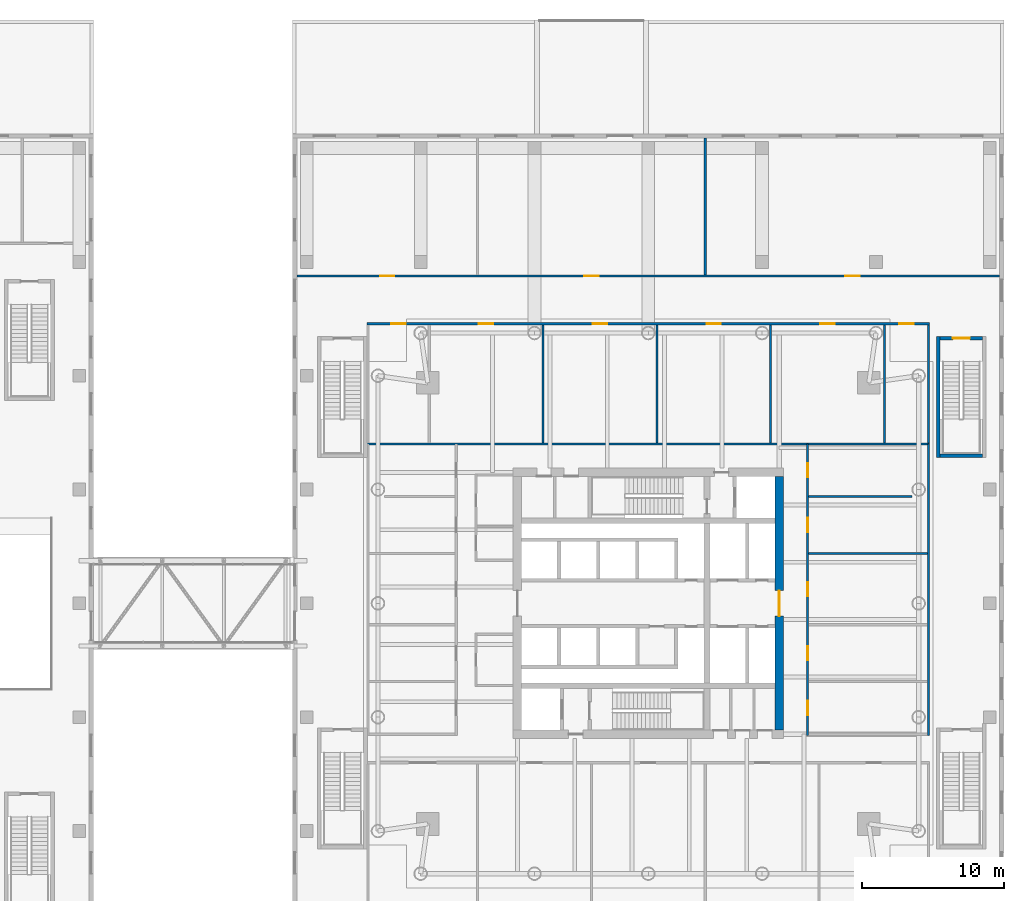
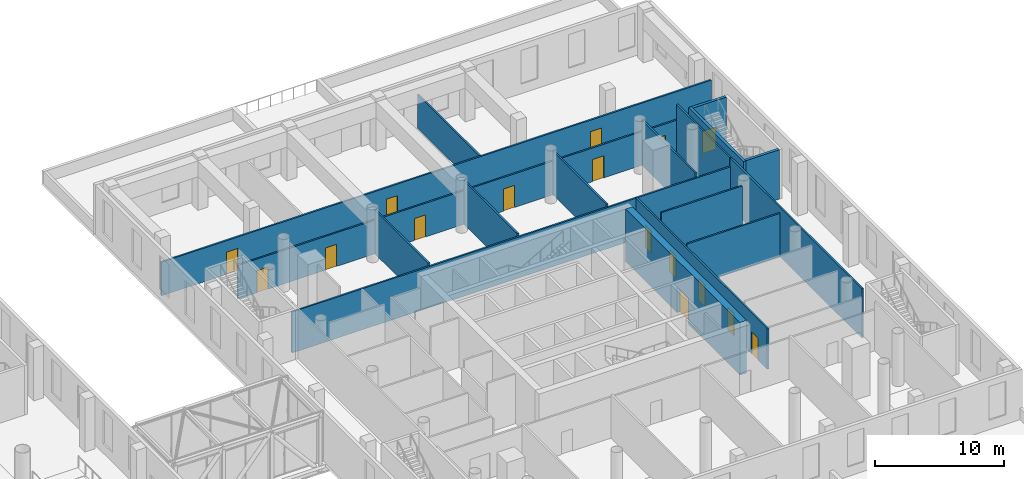
# One storey, part 17 of 23: 17 walls, 16 doors, 16 openings.
"""IFC4 building model written with IfcOpenShell, lengths in metres."""

from ifc_helpers import new_model, si_unit, direction, frame, frame_2d, origin, place, context, subcontext, project, spatial, rectangle, extrude, material, layer, layer_set, type_object, element, fill, save


model = new_model("IFC4")

# Units and contexts
model_context = context("Model", 3, precision=1e-05, world=origin(), true_north=direction((0.0, 1.0)))
body_context = subcontext(model_context, "Body", "Model", "MODEL_VIEW")
ifc_project = project(units=[si_unit("LENGTHUNIT", "METRE"), si_unit("AREAUNIT", "SQUARE_METRE"), si_unit("VOLUMEUNIT", "CUBIC_METRE"), si_unit("PLANEANGLEUNIT", "RADIAN"), si_unit("MASSUNIT", "GRAM", prefix="KILO")], contexts=[model_context])

# Site, building, storey
site_placement = place(None, origin())
site = spatial("IfcSite", under=ifc_project, at=site_placement, CompositionType="ELEMENT")
building_placement = place(site_placement, origin())
building = spatial("IfcBuilding", under=site, at=building_placement, Name="Ostroluk Exchange", CompositionType="ELEMENT")
storey_placement = place(building_placement, frame((0.0, 0.0, 11.0)))
storey = spatial("IfcBuildingStorey", under=building, at=storey_placement, Name="L02", CompositionType="ELEMENT", Elevation=11.0)

# Walls
ifc_material_1 = material(Name="Concrete blockwork", Category="masonry")
ifc_layer_1 = layer(ifc_material_1, 0.25)
ifc_layer_set_1 = layer_set([ifc_layer_1], Name="Blockwork stair enclosure wall 250")
wall_type_1 = type_object("IfcWallType", Name="Blockwork stair enclosure wall 250", PredefinedType="SOLIDWALL", material=ifc_layer_set_1)
wall_1_placement = place(storey_placement, frame((137.375, 56.25, 0.0), z_axis=(0.0, 0.0, 1.0), x_axis=(0.0, 1.0, 0.0)))
element("IfcWall", 1, at=wall_1_placement, inside=storey, type_object=wall_type_1, Name="Stair PS8 enclosure wall", PredefinedType="SOLIDWALL", context=body_context, shape_type="SweptSolid", body=[
    extrude(rectangle(XDim=8.5, YDim=0.25, at=frame_2d((4.25, 0.0))), origin(), (0.0, 0.0, 1.0), 4.699951171875),
])
wall_2_placement = place(storey_placement, frame((137.5, 56.375, 0.0), z_axis=(0.0, 0.0, 1.0), x_axis=(1.0, 0.0, 0.0)))
element("IfcWall", 2, at=wall_2_placement, inside=storey, type_object=wall_type_1, Name="Stair PS8 enclosure wall", PredefinedType="SOLIDWALL", context=body_context, shape_type="SweptSolid", body=[
    extrude(rectangle(XDim=3.0, YDim=0.25, at=frame_2d((1.5, 0.0))), origin(), (0.0, 0.0, 1.0), 4.699951171875),
])

# Wall, opening, door
wall_3_placement = place(storey_placement, frame((137.5, 64.625, 0.0), z_axis=(0.0, 0.0, 1.0), x_axis=(1.0, 0.0, 0.0)))
wall_3 = element("IfcWall", 3, at=wall_3_placement, inside=storey, type_object=wall_type_1, Name="Stair PS8 enclosure wall", PredefinedType="SOLIDWALL", context=body_context, shape_type="SweptSolid", body=[
    extrude(rectangle(XDim=3.0, YDim=0.25, at=frame_2d((1.5, 0.0))), origin(), (0.0, 0.0, 1.0), 4.699951171875),
])
opening_1_placement = place(wall_3_placement, frame((0.89990234375, 0.0, 0.0)))
opening_1 = element("IfcOpeningElement", 4, at=opening_1_placement, cuts=wall_3, Name="Opening FD60S", PredefinedType="OPENING", context=body_context, shape_type="SweptSolid", body=[
    extrude(rectangle(XDim=1.199951171875, YDim=2.10009765625, at=frame_2d((0.60009765625, 1.050048828125))), frame((0.0, 0.135009765625, 0.0), z_axis=(0.0, -1.0, 0.0), x_axis=(1.0, 0.0, 0.0)), (0.0, 0.0, 1.0), 0.27001953125),
])
ifc_material_2 = material(Name="Steel", Category="steel")
door_type_1 = type_object("IfcDoorType", Name="Stair door EI 60 1200 x 2100", OperationType="SINGLE_SWING_LEFT", PredefinedType="DOOR", material=ifc_material_2)
door_1_placement = place(opening_1_placement, origin())
door_1 = element("IfcDoor", 5, at=door_1_placement, inside=storey, type_object=door_type_1, Name="Stair PS8 door", OperationType="SINGLE_SWING_LEFT", OverallHeight=2.10009765625, OverallWidth=1.199951171875, PredefinedType="DOOR", context=body_context, shape_type="SweptSolid", body=[
    extrude(rectangle(XDim=1.199951171875, YDim=2.10009765625, at=frame_2d((0.60009765625, 1.050048828125))), frame((0.0, 0.02490234375, 0.0), z_axis=(0.0, -1.0, 0.0), x_axis=(1.0, 0.0, 0.0)), (0.0, 0.0, 1.0), 0.050048828125),
])
fill(opening_1, door_1)

ifc_material_3 = material(Name="Concrete C50/60", Category="concrete")
ifc_layer_2 = layer(ifc_material_3, 0.60009765625)
ifc_layer_set_2 = layer_set([ifc_layer_2], Name="Core wall 600 C50/60")
wall_type_2 = type_object("IfcWallType", Name="Core wall 600 C50/60", PredefinedType="SHEAR", material=ifc_layer_set_2)
wall_4_placement = place(storey_placement, frame((126.199951171875, 37.10009765625, 0.0), z_axis=(0.0, 0.0, 1.0), x_axis=(0.0, 1.0, 0.0)))
wall_4 = element("IfcWall", 6, at=wall_4_placement, inside=storey, type_object=wall_type_2, Name="T2 core wall E", PredefinedType="SHEAR", context=body_context, shape_type="SweptSolid", body=[
    extrude(rectangle(XDim=17.7998046875, YDim=0.60009765625, at=frame_2d((8.89990234375, 0.0))), origin(), (0.0, 0.0, 1.0), 5.0),
])
opening_2_placement = place(wall_4_placement, frame((8.0, 0.0, 0.0)))
opening_2 = element("IfcOpeningElement", 7, at=opening_2_placement, cuts=wall_4, Name="Opening FD30D", PredefinedType="OPENING", context=body_context, shape_type="SweptSolid", body=[
    extrude(rectangle(XDim=1.800048828125, YDim=2.39990234375, at=frame_2d((0.89990234375, 1.199951171875))), frame((0.0, 0.31005859375, 0.0), z_axis=(0.0, -1.0, 0.0), x_axis=(1.0, 0.0, 0.0)), (0.0, 0.0, 1.0), 0.6201171875),
])
ifc_material_4 = material(Name="Timber", Category="wood")
door_type_2 = type_object("IfcDoorType", Name="Lobby double door EI 30 1800 x 2400", OperationType="DOUBLE_DOOR_SINGLE_SWING", PredefinedType="DOOR", material=ifc_material_4)
door_2_placement = place(opening_2_placement, origin())
door_2 = element("IfcDoor", 8, at=door_2_placement, inside=storey, type_object=door_type_2, Name="Lift lobby doors", OperationType="DOUBLE_DOOR_SINGLE_SWING", OverallHeight=2.39990234375, OverallWidth=1.800048828125, PredefinedType="DOOR", context=body_context, shape_type="SweptSolid", body=[
    extrude(rectangle(XDim=1.800048828125, YDim=2.39990234375, at=frame_2d((0.89990234375, 1.199951171875))), frame((0.0, 0.02490234375, 0.0), z_axis=(0.0, -1.0, 0.0), x_axis=(1.0, 0.0, 0.0)), (0.0, 0.0, 1.0), 0.050048828125),
])
fill(opening_2, door_2)

# Wall, openings, doors
ifc_material_5 = material(Name="Gypsum plasterboard partition", Category="gypsum")
ifc_layer_3 = layer(ifc_material_5, 0.14990234375)
ifc_layer_set_3 = layer_set([ifc_layer_3], Name="Plasterboard partition 150")
wall_type_3 = type_object("IfcWallType", Name="Plasterboard partition 150", PredefinedType="PARTITIONING", material=ifc_layer_set_3)
wall_5_placement = place(storey_placement, frame((92.300048828125, 69.0, 0.0), z_axis=(0.0, 0.0, 1.0), x_axis=(1.0, 0.0, 0.0)))
wall_5 = element("IfcWall", 9, at=wall_5_placement, inside=storey, type_object=wall_type_3, Name="Partition", PredefinedType="PARTITIONING", context=body_context, shape_type="SweptSolid", body=[
    extrude(rectangle(XDim=49.39990234375, YDim=0.14990234375, at=frame_2d((24.699951171875, 0.0))), origin(), (0.0, 0.0, 1.0), 3.199951171875),
])
opening_3_placement = place(wall_5_placement, frame((5.85009765625, 0.0, 0.0)))
opening_3 = element("IfcOpeningElement", 10, at=opening_3_placement, cuts=wall_5, Name="Opening D-03", PredefinedType="OPENING", context=body_context, shape_type="SweptSolid", body=[
    extrude(rectangle(XDim=1.0, YDim=2.10009765625, at=frame_2d((0.5, 1.050048828125))), frame((0.0, 0.0849609375, 0.0), z_axis=(0.0, -1.0, 0.0), x_axis=(1.0, 0.0, 0.0)), (0.0, 0.0, 1.0), 0.169921875),
])
opening_4_placement = place(wall_5_placement, frame((20.199951171875, 0.0, 0.0)))
opening_4 = element("IfcOpeningElement", 11, at=opening_4_placement, cuts=wall_5, Name="Opening D-03", PredefinedType="OPENING", context=body_context, shape_type="SweptSolid", body=[
    extrude(rectangle(XDim=1.0, YDim=2.10009765625, at=frame_2d((0.5, 1.050048828125))), frame((0.0, 0.0849609375, 0.0), z_axis=(0.0, -1.0, 0.0), x_axis=(1.0, 0.0, 0.0)), (0.0, 0.0, 1.0), 0.169921875),
])
opening_5_placement = place(wall_5_placement, frame((38.550048828125, 0.0, 0.0)))
opening_5 = element("IfcOpeningElement", 12, at=opening_5_placement, cuts=wall_5, Name="Opening D-03", PredefinedType="OPENING", context=body_context, shape_type="SweptSolid", body=[
    extrude(rectangle(XDim=1.0, YDim=2.10009765625, at=frame_2d((0.5, 1.050048828125))), frame((0.0, 0.0849609375, 0.0), z_axis=(0.0, -1.0, 0.0), x_axis=(1.0, 0.0, 0.0)), (0.0, 0.0, 1.0), 0.169921875),
])
ifc_material_6 = material(Name="Timber", Category="wood")
door_type_3 = type_object("IfcDoorType", Name="Internal door 1000 x 2100", OperationType="SINGLE_SWING_LEFT", PredefinedType="DOOR", material=ifc_material_6)
door_3_placement = place(opening_3_placement, origin())
door_3 = element("IfcDoor", 13, at=door_3_placement, inside=storey, type_object=door_type_3, Name="Office door", OperationType="SINGLE_SWING_LEFT", OverallHeight=2.10009765625, OverallWidth=1.0, PredefinedType="DOOR", context=body_context, shape_type="SweptSolid", body=[
    extrude(rectangle(XDim=1.0, YDim=2.10009765625, at=frame_2d((0.5, 1.050048828125))), frame((0.0, 0.02490234375, 0.0), z_axis=(0.0, -1.0, 0.0), x_axis=(1.0, 0.0, 0.0)), (0.0, 0.0, 1.0), 0.050048828125),
])
fill(opening_3, door_3)
door_4_placement = place(opening_4_placement, origin())
door_4 = element("IfcDoor", 14, at=door_4_placement, inside=storey, type_object=door_type_3, Name="Office door", OperationType="SINGLE_SWING_LEFT", OverallHeight=2.10009765625, OverallWidth=1.0, PredefinedType="DOOR", context=body_context, shape_type="SweptSolid", body=[
    extrude(rectangle(XDim=1.0, YDim=2.10009765625, at=frame_2d((0.5, 1.050048828125))), frame((0.0, 0.02490234375, 0.0), z_axis=(0.0, -1.0, 0.0), x_axis=(1.0, 0.0, 0.0)), (0.0, 0.0, 1.0), 0.050048828125),
])
fill(opening_4, door_4)
door_5_placement = place(opening_5_placement, origin())
door_5 = element("IfcDoor", 15, at=door_5_placement, inside=storey, type_object=door_type_3, Name="Office door", OperationType="SINGLE_SWING_RIGHT", OverallHeight=2.10009765625, OverallWidth=1.0, PredefinedType="DOOR", context=body_context, shape_type="SweptSolid", body=[
    extrude(rectangle(XDim=1.0, YDim=2.10009765625, at=frame_2d((0.5, 1.050048828125))), frame((0.0, 0.02490234375, 0.0), z_axis=(0.0, -1.0, 0.0), x_axis=(1.0, 0.0, 0.0)), (0.0, 0.0, 1.0), 0.050048828125),
])
fill(opening_5, door_5)

# Walls
wall_6_placement = place(storey_placement, frame((121.0, 69.074951171875, 0.0), z_axis=(0.0, 0.0, 1.0), x_axis=(0.0, 1.0, 0.0)))
element("IfcWall", 16, at=wall_6_placement, inside=storey, type_object=wall_type_3, Name="Partition", PredefinedType="PARTITIONING", context=body_context, shape_type="SweptSolid", body=[
    extrude(rectangle(XDim=9.625, YDim=0.14990234375, at=frame_2d((4.8125, 0.0))), origin(), (0.0, 0.0, 1.0), 3.199951171875),
])
wall_7_placement = place(storey_placement, frame((97.22509765625, 57.199951171875, 0.0), z_axis=(0.0, 0.0, 1.0), x_axis=(1.0, 0.0, 0.0)))
element("IfcWall", 17, at=wall_7_placement, inside=storey, type_object=wall_type_3, Name="Partition", PredefinedType="PARTITIONING", context=body_context, shape_type="SweptSolid", body=[
    extrude(rectangle(XDim=39.5498046875, YDim=0.14990234375, at=frame_2d((19.77490234375, 0.0))), origin(), (0.0, 0.0, 1.0), 3.89990234375),
])

# Wall, openings, doors
wall_8_placement = place(storey_placement, frame((97.22509765625, 65.64990234375, 0.0), z_axis=(0.0, 0.0, 1.0), x_axis=(1.0, 0.0, 0.0)))
wall_8 = element("IfcWall", 18, at=wall_8_placement, inside=storey, type_object=wall_type_3, Name="Partition", PredefinedType="PARTITIONING", context=body_context, shape_type="SweptSolid", body=[
    extrude(rectangle(XDim=39.5498046875, YDim=0.14990234375, at=frame_2d((19.77490234375, 0.0))), origin(), (0.0, 0.0, 1.0), 3.199951171875),
])
opening_6_placement = place(wall_8_placement, frame((1.72509765625, 0.0, 0.0)))
opening_6 = element("IfcOpeningElement", 19, at=opening_6_placement, cuts=wall_8, Name="Opening D-03", PredefinedType="OPENING", context=body_context, shape_type="SweptSolid", body=[
    extrude(rectangle(XDim=1.0, YDim=2.10009765625, at=frame_2d((0.5, 1.050048828125))), frame((0.0, 0.0849609375, 0.0), z_axis=(0.0, -1.0, 0.0), x_axis=(1.0, 0.0, 0.0)), (0.0, 0.0, 1.0), 0.169921875),
])
opening_7_placement = place(wall_8_placement, frame((7.875, 0.0, 0.0)))
opening_7 = element("IfcOpeningElement", 20, at=opening_7_placement, cuts=wall_8, Name="Opening D-03", PredefinedType="OPENING", context=body_context, shape_type="SweptSolid", body=[
    extrude(rectangle(XDim=1.0, YDim=2.10009765625, at=frame_2d((0.5, 1.050048828125))), frame((0.0, 0.0849609375, 0.0), z_axis=(0.0, -1.0, 0.0), x_axis=(1.0, 0.0, 0.0)), (0.0, 0.0, 1.0), 0.169921875),
])
opening_8_placement = place(wall_8_placement, frame((15.875, 0.0, 0.0)))
opening_8 = element("IfcOpeningElement", 21, at=opening_8_placement, cuts=wall_8, Name="Opening D-03", PredefinedType="OPENING", context=body_context, shape_type="SweptSolid", body=[
    extrude(rectangle(XDim=1.0, YDim=2.10009765625, at=frame_2d((0.5, 1.050048828125))), frame((0.0, 0.0849609375, 0.0), z_axis=(0.0, -1.0, 0.0), x_axis=(1.0, 0.0, 0.0)), (0.0, 0.0, 1.0), 0.169921875),
])
opening_9_placement = place(wall_8_placement, frame((23.875, 0.0, 0.0)))
opening_9 = element("IfcOpeningElement", 22, at=opening_9_placement, cuts=wall_8, Name="Opening D-03", PredefinedType="OPENING", context=body_context, shape_type="SweptSolid", body=[
    extrude(rectangle(XDim=1.0, YDim=2.10009765625, at=frame_2d((0.5, 1.050048828125))), frame((0.0, 0.0849609375, 0.0), z_axis=(0.0, -1.0, 0.0), x_axis=(1.0, 0.0, 0.0)), (0.0, 0.0, 1.0), 0.169921875),
])
opening_10_placement = place(wall_8_placement, frame((31.875, 0.0, 0.0)))
opening_10 = element("IfcOpeningElement", 23, at=opening_10_placement, cuts=wall_8, Name="Opening D-03", PredefinedType="OPENING", context=body_context, shape_type="SweptSolid", body=[
    extrude(rectangle(XDim=1.0, YDim=2.10009765625, at=frame_2d((0.5, 1.050048828125))), frame((0.0, 0.0849609375, 0.0), z_axis=(0.0, -1.0, 0.0), x_axis=(1.0, 0.0, 0.0)), (0.0, 0.0, 1.0), 0.169921875),
])
opening_11_placement = place(wall_8_placement, frame((37.425048828125, 0.0, 0.0)))
opening_11 = element("IfcOpeningElement", 24, at=opening_11_placement, cuts=wall_8, Name="Opening D-03", PredefinedType="OPENING", context=body_context, shape_type="SweptSolid", body=[
    extrude(rectangle(XDim=1.0, YDim=2.10009765625, at=frame_2d((0.5, 1.050048828125))), frame((0.0, 0.0849609375, 0.0), z_axis=(0.0, -1.0, 0.0), x_axis=(1.0, 0.0, 0.0)), (0.0, 0.0, 1.0), 0.169921875),
])
door_6_placement = place(opening_6_placement, origin())
door_6 = element("IfcDoor", 25, at=door_6_placement, inside=storey, type_object=door_type_3, Name="Meeting room door", OperationType="SINGLE_SWING_LEFT", OverallHeight=2.10009765625, OverallWidth=1.0, PredefinedType="DOOR", context=body_context, shape_type="SweptSolid", body=[
    extrude(rectangle(XDim=1.0, YDim=2.10009765625, at=frame_2d((0.5, 1.050048828125))), frame((0.0, 0.02490234375, 0.0), z_axis=(0.0, -1.0, 0.0), x_axis=(1.0, 0.0, 0.0)), (0.0, 0.0, 1.0), 0.050048828125),
])
fill(opening_6, door_6)
door_7_placement = place(opening_7_placement, origin())
door_7 = element("IfcDoor", 26, at=door_7_placement, inside=storey, type_object=door_type_3, Name="Meeting room door", OperationType="SINGLE_SWING_LEFT", OverallHeight=2.10009765625, OverallWidth=1.0, PredefinedType="DOOR", context=body_context, shape_type="SweptSolid", body=[
    extrude(rectangle(XDim=1.0, YDim=2.10009765625, at=frame_2d((0.5, 1.050048828125))), frame((0.0, 0.02490234375, 0.0), z_axis=(0.0, -1.0, 0.0), x_axis=(1.0, 0.0, 0.0)), (0.0, 0.0, 1.0), 0.050048828125),
])
fill(opening_7, door_7)
door_8_placement = place(opening_8_placement, origin())
door_8 = element("IfcDoor", 27, at=door_8_placement, inside=storey, type_object=door_type_3, Name="Meeting room door", OperationType="SINGLE_SWING_LEFT", OverallHeight=2.10009765625, OverallWidth=1.0, PredefinedType="DOOR", context=body_context, shape_type="SweptSolid", body=[
    extrude(rectangle(XDim=1.0, YDim=2.10009765625, at=frame_2d((0.5, 1.050048828125))), frame((0.0, 0.02490234375, 0.0), z_axis=(0.0, -1.0, 0.0), x_axis=(1.0, 0.0, 0.0)), (0.0, 0.0, 1.0), 0.050048828125),
])
fill(opening_8, door_8)
door_9_placement = place(opening_9_placement, origin())
door_9 = element("IfcDoor", 28, at=door_9_placement, inside=storey, type_object=door_type_3, Name="Meeting room door", OperationType="SINGLE_SWING_RIGHT", OverallHeight=2.10009765625, OverallWidth=1.0, PredefinedType="DOOR", context=body_context, shape_type="SweptSolid", body=[
    extrude(rectangle(XDim=1.0, YDim=2.10009765625, at=frame_2d((0.5, 1.050048828125))), frame((0.0, 0.02490234375, 0.0), z_axis=(0.0, -1.0, 0.0), x_axis=(1.0, 0.0, 0.0)), (0.0, 0.0, 1.0), 0.050048828125),
])
fill(opening_9, door_9)
door_10_placement = place(opening_10_placement, origin())
door_10 = element("IfcDoor", 29, at=door_10_placement, inside=storey, type_object=door_type_3, Name="Meeting room door", OperationType="SINGLE_SWING_RIGHT", OverallHeight=2.10009765625, OverallWidth=1.0, PredefinedType="DOOR", context=body_context, shape_type="SweptSolid", body=[
    extrude(rectangle(XDim=1.0, YDim=2.10009765625, at=frame_2d((0.5, 1.050048828125))), frame((0.0, 0.02490234375, 0.0), z_axis=(0.0, -1.0, 0.0), x_axis=(1.0, 0.0, 0.0)), (0.0, 0.0, 1.0), 0.050048828125),
])
fill(opening_10, door_10)
door_11_placement = place(opening_11_placement, origin())
door_11 = element("IfcDoor", 30, at=door_11_placement, inside=storey, type_object=door_type_3, Name="Meeting room door", OperationType="SINGLE_SWING_RIGHT", OverallHeight=2.10009765625, OverallWidth=1.0, PredefinedType="DOOR", context=body_context, shape_type="SweptSolid", body=[
    extrude(rectangle(XDim=1.0, YDim=2.10009765625, at=frame_2d((0.5, 1.050048828125))), frame((0.0, 0.02490234375, 0.0), z_axis=(0.0, -1.0, 0.0), x_axis=(1.0, 0.0, 0.0)), (0.0, 0.0, 1.0), 0.050048828125),
])
fill(opening_11, door_11)

# Walls
wall_9_placement = place(storey_placement, frame((136.699951171875, 57.27490234375, 0.0), z_axis=(0.0, 0.0, 1.0), x_axis=(0.0, 1.0, 0.0)))
element("IfcWall", 31, at=wall_9_placement, inside=storey, type_object=wall_type_3, Name="Partition", PredefinedType="PARTITIONING", context=body_context, shape_type="SweptSolid", body=[
    extrude(rectangle(XDim=8.300048828125, YDim=0.14990234375, at=frame_2d((4.14990234375, 0.0))), origin(), (0.0, 0.0, 1.0), 4.699951171875),
])
for number, where, z_axis, x_axis, name in (
    (32, (109.60009765625, 57.27490234375, 0.0), (0.0, 0.0, 1.0), (0.0, 1.0, 0.0), "Partition"),
    (33, (117.60009765625, 57.27490234375, 0.0), (0.0, 0.0, 1.0), (0.0, 1.0, 0.0), "Partition"),
    (34, (125.60009765625, 57.27490234375, 0.0), (0.0, 0.0, 1.0), (0.0, 1.0, 0.0), "Partition"),
):
    element("IfcWall", number, at=place(storey_placement, frame(where, z_axis=z_axis, x_axis=x_axis)), inside=storey, type_object=wall_type_3, Name=name, PredefinedType="PARTITIONING", context=body_context, shape_type="SweptSolid", body=[
        extrude(rectangle(XDim=8.300048828125, YDim=0.14990234375, at=frame_2d((4.14990234375, 0.0))), origin(), (0.0, 0.0, 1.0), 4.14990234375),
    ])
wall_10_placement = place(storey_placement, frame((133.60009765625, 57.27490234375, 0.0), z_axis=(0.0, 0.0, 1.0), x_axis=(0.0, 1.0, 0.0)))
element("IfcWall", 35, at=wall_10_placement, inside=storey, type_object=wall_type_3, Name="Partition", PredefinedType="PARTITIONING", context=body_context, shape_type="SweptSolid", body=[
    extrude(rectangle(XDim=8.300048828125, YDim=0.14990234375, at=frame_2d((4.14990234375, 0.0))), origin(), (0.0, 0.0, 1.0), 4.300048828125),
])

# Wall, openings, doors
wall_11_placement = place(storey_placement, frame((128.199951171875, 36.72509765625, 0.0), z_axis=(0.0, 0.0, 1.0), x_axis=(0.0, 1.0, 0.0)))
wall_11 = element("IfcWall", 36, at=wall_11_placement, inside=storey, type_object=wall_type_3, Name="Partition", PredefinedType="PARTITIONING", context=body_context, shape_type="SweptSolid", body=[
    extrude(rectangle(XDim=20.474853515625, YDim=0.14990234375, at=frame_2d((10.2373046875, 0.0))), origin(), (0.0, 0.0, 1.0), 3.89990234375),
])
opening_12_placement = place(wall_11_placement, frame((1.425048828125, 0.0, 0.0)))
opening_12 = element("IfcOpeningElement", 37, at=opening_12_placement, cuts=wall_11, Name="Opening D-03", PredefinedType="OPENING", context=body_context, shape_type="SweptSolid", body=[
    extrude(rectangle(XDim=1.0, YDim=2.10009765625, at=frame_2d((0.5, 1.050048828125))), frame((0.0, 0.0849609375, 0.0), z_axis=(0.0, -1.0, 0.0), x_axis=(1.0, 0.0, 0.0)), (0.0, 0.0, 1.0), 0.169921875),
])
opening_13_placement = place(wall_11_placement, frame((5.27490234375, 0.0, 0.0)))
opening_13 = element("IfcOpeningElement", 38, at=opening_13_placement, cuts=wall_11, Name="Opening D-03", PredefinedType="OPENING", context=body_context, shape_type="SweptSolid", body=[
    extrude(rectangle(XDim=1.0, YDim=2.10009765625, at=frame_2d((0.5, 1.050048828125))), frame((0.0, 0.0849609375, 0.0), z_axis=(0.0, -1.0, 0.0), x_axis=(1.0, 0.0, 0.0)), (0.0, 0.0, 1.0), 0.169921875),
])
opening_14_placement = place(wall_11_placement, frame((9.77490234375, 0.0, 0.0)))
opening_14 = element("IfcOpeningElement", 39, at=opening_14_placement, cuts=wall_11, Name="Opening D-03", PredefinedType="OPENING", context=body_context, shape_type="SweptSolid", body=[
    extrude(rectangle(XDim=1.0, YDim=2.10009765625, at=frame_2d((0.5, 1.050048828125))), frame((0.0, 0.0849609375, 0.0), z_axis=(0.0, -1.0, 0.0), x_axis=(1.0, 0.0, 0.0)), (0.0, 0.0, 1.0), 0.169921875),
])
opening_15_placement = place(wall_11_placement, frame((14.27490234375, 0.0, 0.0)))
opening_15 = element("IfcOpeningElement", 40, at=opening_15_placement, cuts=wall_11, Name="Opening D-03", PredefinedType="OPENING", context=body_context, shape_type="SweptSolid", body=[
    extrude(rectangle(XDim=1.0, YDim=2.10009765625, at=frame_2d((0.5, 1.050048828125))), frame((0.0, 0.0849609375, 0.0), z_axis=(0.0, -1.0, 0.0), x_axis=(1.0, 0.0, 0.0)), (0.0, 0.0, 1.0), 0.169921875),
])
opening_16_placement = place(wall_11_placement, frame((18.125, 0.0, 0.0)))
opening_16 = element("IfcOpeningElement", 41, at=opening_16_placement, cuts=wall_11, Name="Opening D-03", PredefinedType="OPENING", context=body_context, shape_type="SweptSolid", body=[
    extrude(rectangle(XDim=1.0, YDim=2.10009765625, at=frame_2d((0.5, 1.050048828125))), frame((0.0, 0.0849609375, 0.0), z_axis=(0.0, -1.0, 0.0), x_axis=(1.0, 0.0, 0.0)), (0.0, 0.0, 1.0), 0.169921875),
])
door_12_placement = place(opening_12_placement, origin())
door_12 = element("IfcDoor", 42, at=door_12_placement, inside=storey, type_object=door_type_3, Name="Meeting room door", OperationType="SINGLE_SWING_LEFT", OverallHeight=2.10009765625, OverallWidth=1.0, PredefinedType="DOOR", context=body_context, shape_type="SweptSolid", body=[
    extrude(rectangle(XDim=1.0, YDim=2.10009765625, at=frame_2d((0.5, 1.050048828125))), frame((0.0, 0.02490234375, 0.0), z_axis=(0.0, -1.0, 0.0), x_axis=(1.0, 0.0, 0.0)), (0.0, 0.0, 1.0), 0.050048828125),
])
fill(opening_12, door_12)
door_13_placement = place(opening_13_placement, origin())
door_13 = element("IfcDoor", 43, at=door_13_placement, inside=storey, type_object=door_type_3, Name="Meeting room door", OperationType="SINGLE_SWING_LEFT", OverallHeight=2.10009765625, OverallWidth=1.0, PredefinedType="DOOR", context=body_context, shape_type="SweptSolid", body=[
    extrude(rectangle(XDim=1.0, YDim=2.10009765625, at=frame_2d((0.5, 1.050048828125))), frame((0.0, 0.02490234375, 0.0), z_axis=(0.0, -1.0, 0.0), x_axis=(1.0, 0.0, 0.0)), (0.0, 0.0, 1.0), 0.050048828125),
])
fill(opening_13, door_13)
door_14_placement = place(opening_14_placement, origin())
door_14 = element("IfcDoor", 44, at=door_14_placement, inside=storey, type_object=door_type_3, Name="Meeting room door", OperationType="SINGLE_SWING_RIGHT", OverallHeight=2.10009765625, OverallWidth=1.0, PredefinedType="DOOR", context=body_context, shape_type="SweptSolid", body=[
    extrude(rectangle(XDim=1.0, YDim=2.10009765625, at=frame_2d((0.5, 1.050048828125))), frame((0.0, 0.02490234375, 0.0), z_axis=(0.0, -1.0, 0.0), x_axis=(1.0, 0.0, 0.0)), (0.0, 0.0, 1.0), 0.050048828125),
])
fill(opening_14, door_14)
door_15_placement = place(opening_15_placement, origin())
door_15 = element("IfcDoor", 45, at=door_15_placement, inside=storey, type_object=door_type_3, Name="Meeting room door", OperationType="SINGLE_SWING_RIGHT", OverallHeight=2.10009765625, OverallWidth=1.0, PredefinedType="DOOR", context=body_context, shape_type="SweptSolid", body=[
    extrude(rectangle(XDim=1.0, YDim=2.10009765625, at=frame_2d((0.5, 1.050048828125))), frame((0.0, 0.02490234375, 0.0), z_axis=(0.0, -1.0, 0.0), x_axis=(1.0, 0.0, 0.0)), (0.0, 0.0, 1.0), 0.050048828125),
])
fill(opening_15, door_15)
door_16_placement = place(opening_16_placement, origin())
door_16 = element("IfcDoor", 46, at=door_16_placement, inside=storey, type_object=door_type_3, Name="Meeting room door", OperationType="SINGLE_SWING_RIGHT", OverallHeight=2.10009765625, OverallWidth=1.0, PredefinedType="DOOR", context=body_context, shape_type="SweptSolid", body=[
    extrude(rectangle(XDim=1.0, YDim=2.10009765625, at=frame_2d((0.5, 1.050048828125))), frame((0.0, 0.02490234375, 0.0), z_axis=(0.0, -1.0, 0.0), x_axis=(1.0, 0.0, 0.0)), (0.0, 0.0, 1.0), 0.050048828125),
])
fill(opening_16, door_16)

# Walls
wall_12_placement = place(storey_placement, frame((136.699951171875, 36.72509765625, 0.0), z_axis=(0.0, 0.0, 1.0), x_axis=(0.0, 1.0, 0.0)))
element("IfcWall", 47, at=wall_12_placement, inside=storey, type_object=wall_type_3, Name="Partition", PredefinedType="PARTITIONING", context=body_context, shape_type="SweptSolid", body=[
    extrude(rectangle(XDim=20.474853515625, YDim=0.14990234375, at=frame_2d((10.2373046875, 0.0))), origin(), (0.0, 0.0, 1.0), 4.699951171875),
])
wall_13_placement = place(storey_placement, frame((128.27490234375, 49.5, 0.0), z_axis=(0.0, 0.0, 1.0), x_axis=(1.0, 0.0, 0.0)))
element("IfcWall", 48, at=wall_13_placement, inside=storey, type_object=wall_type_3, Name="Partition", PredefinedType="PARTITIONING", context=body_context, shape_type="SweptSolid", body=[
    extrude(rectangle(XDim=8.35009765625, YDim=0.14990234375, at=frame_2d((4.175048828125, 0.0))), origin(), (0.0, 0.0, 1.0), 4.14990234375),
])
wall_14_placement = place(storey_placement, frame((128.27490234375, 53.5, 0.0), z_axis=(0.0, 0.0, 1.0), x_axis=(1.0, 0.0, 0.0)))
element("IfcWall", 49, at=wall_14_placement, inside=storey, type_object=wall_type_3, Name="Partition", PredefinedType="PARTITIONING", context=body_context, shape_type="SweptSolid", body=[
    extrude(rectangle(XDim=7.26806640625, YDim=0.14990234375, at=frame_2d((3.634033203125, 0.0))), origin(), (0.0, 0.0, 1.0), 4.699951171875),
])

save(model, "model.ifc")
